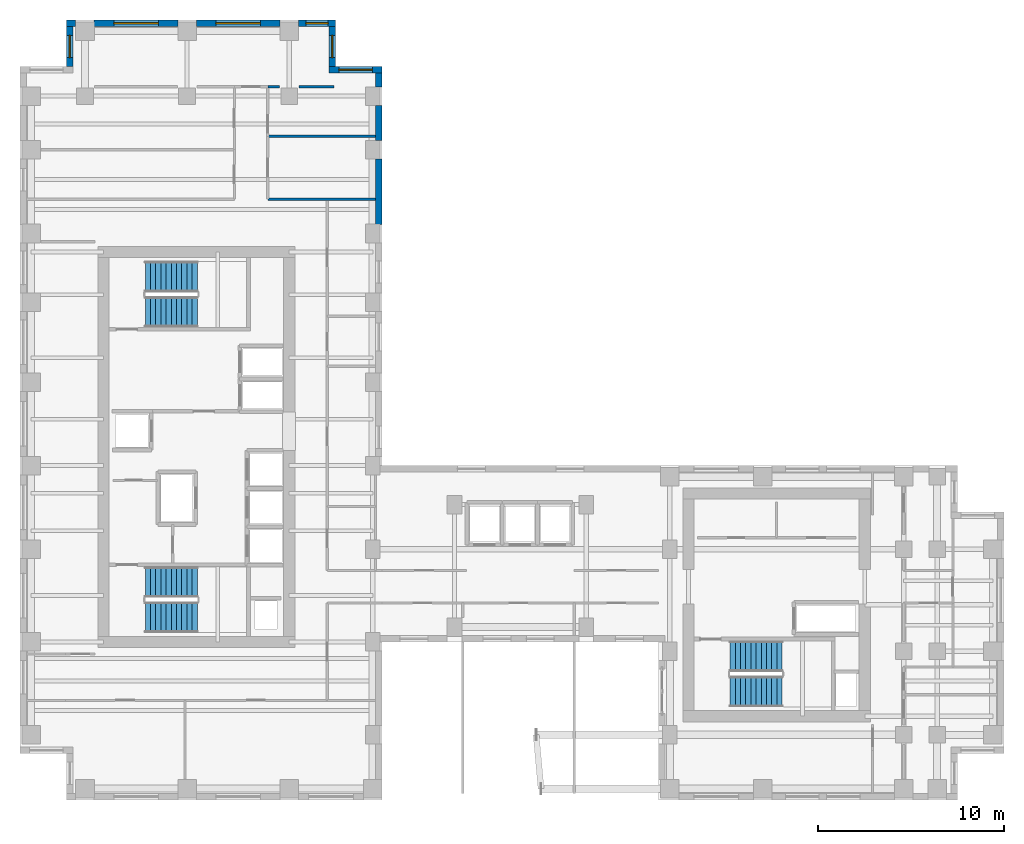
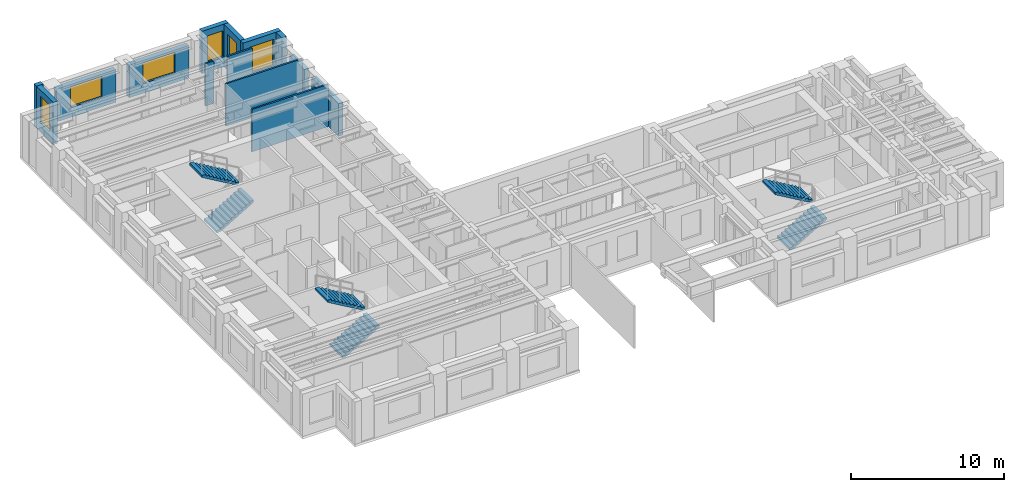
# One storey, part 11 of 13: 14 walls, 6 stair flights, 6 windows, 6 openings, 3 elements without a shape of their own.
"""IFC4 building model written with IfcOpenShell, lengths in metres."""

import ifcopenshell
import ifcopenshell.guid

model = None  # the IFC model being written
_history = None  # IfcOwnerHistory: only IFC2X3 demands one
_inside = {}  # id of a spatial element -> (the spatial element, [elements in it])
_under = {}  # id of a project, library or spatial element -> (it, [spatial elements below it])
_declared = {}  # id of a project -> (the project, [libraries it declares])
_typed = {}  # id of a type object -> (the type object, [elements of that type])
_made_of = {}  # id of a material, layer set ... -> (it, [elements and type objects made of it])


def new_model(schema):
    """Start an empty IFC model of exactly this schema.

    Asked for "IFC4X3", IfcOpenShell would pick the latest addendum, in which some entities
    have other attributes; the version numbers below select the first issue.
    IFC2X3 requires an IfcOwnerHistory on every rooted entity: one is made here for all.
    """
    global model, _history
    if schema == "IFC4X3":
        model = ifcopenshell.file(schema_version=(4, 3, 0, 0))
    else:
        model = ifcopenshell.file(schema=schema)
    _inside.clear()
    _under.clear()
    _declared.clear()
    _typed.clear()
    _made_of.clear()
    _history = None
    if model.schema == "IFC2X3":
        org = make("IfcOrganization", Name="unknown")
        user = make(
            "IfcPersonAndOrganization",
            ThePerson=make("IfcPerson", FamilyName="unknown"),
            TheOrganization=org,
        )
        app = make(
            "IfcApplication",
            ApplicationDeveloper=org,
            Version="unknown",
            ApplicationFullName="unknown",
            ApplicationIdentifier="unknown",
        )
        _history = make(
            "IfcOwnerHistory",
            OwningUser=user,
            OwningApplication=app,
            ChangeAction="ADDED",
            CreationDate=0,
        )
    return model


def make(cls, **values):
    """One entity of the class cls with the attributes given. An attribute that is None is left unset."""
    return model.create_entity(
        cls, **{name: value for name, value in values.items() if value is not None}
    )


def rooted(cls, **values):
    """An entity with a GlobalId (a new one), such as an element, a storey or a relation."""
    return make(cls, GlobalId=ifcopenshell.guid.new(), OwnerHistory=_history, **values)


def si_unit(unit_type, name, prefix=None):
    """IfcSIUnit, for example si_unit("LENGTHUNIT", "METRE", prefix="MILLI")."""
    return make("IfcSIUnit", UnitType=unit_type, Prefix=prefix, Name=name)


def assignment(units):
    """IfcUnitAssignment: the units of a project."""
    return None if units is None else make("IfcUnitAssignment", Units=units)


def point(xyz):
    """IfcCartesianPoint."""
    return None if xyz is None else make("IfcCartesianPoint", Coordinates=xyz)


def direction(xyz):
    """IfcDirection."""
    return None if xyz is None else make("IfcDirection", DirectionRatios=xyz)


def frame(location, z_axis=None, x_axis=None):
    """IfcAxis2Placement3D, a coordinate frame: its origin and axes. An axis left out is left unset."""
    return make(
        "IfcAxis2Placement3D",
        Location=point(location),
        Axis=direction(z_axis),
        RefDirection=direction(x_axis),
    )


def frame_2d(location, x_axis=None):
    """IfcAxis2Placement2D, a coordinate frame in the plane: its origin and x axis."""
    return make(
        "IfcAxis2Placement2D", Location=point(location), RefDirection=direction(x_axis)
    )


def origin():
    """The frame at (0, 0, 0) with its axes left unset."""
    return frame((0.0, 0.0, 0.0))


def place(relative_to, where):
    """IfcLocalPlacement: puts the frame where relative to a parent placement (None: the world)."""
    return make(
        "IfcLocalPlacement", PlacementRelTo=relative_to, RelativePlacement=where
    )


def context(
    kind, dimensions, precision=None, world=None, true_north=None, identifier=None
):
    """IfcGeometricRepresentationContext, for example the 3D "Model" context."""
    return make(
        "IfcGeometricRepresentationContext",
        ContextIdentifier=identifier,
        ContextType=kind,
        CoordinateSpaceDimension=dimensions,
        Precision=precision,
        WorldCoordinateSystem=world,
        TrueNorth=true_north,
    )


def subcontext(parent, identifier, kind, view, scale=None):
    """IfcGeometricRepresentationSubContext, for example "Body" below "Model"."""
    return make(
        "IfcGeometricRepresentationSubContext",
        ContextIdentifier=identifier,
        ContextType=kind,
        ParentContext=parent,
        TargetScale=scale,
        TargetView=view,
    )


def project(units=None, contexts=None):
    """IfcProject with its units and contexts."""
    return rooted(
        "IfcProject",
        Name="project",
        RepresentationContexts=contexts,
        UnitsInContext=assignment(units),
    )


def spatial(cls, under=None, at=None, **own):
    """A site, building, storey or space (cls), placed at a placement, below another one or the project."""
    s = rooted(cls, ObjectPlacement=at, **own)
    if under is not None:
        _under.setdefault(under.id(), (under, []))[1].append(s)
    return s


def polyline(points):
    """IfcPolyline through the points."""
    return make("IfcPolyline", Points=[point(p) for p in points])


def profile(cls, at=None, kind="AREA", **sizes):
    """A parametric profile (cls). Its sizes go by their IFC names, for example OverallWidth=200.0."""
    return make(cls, ProfileType=kind, Position=at, **sizes)


def rectangle(**sizes):
    """IfcRectangleProfileDef."""
    return profile("IfcRectangleProfileDef", **sizes)


def outline(outer, holes=None, kind="AREA"):
    """IfcArbitraryClosedProfileDef: a profile drawn as a closed curve; with holes, ...WithVoids."""
    if holes is None:
        return make("IfcArbitraryClosedProfileDef", ProfileType=kind, OuterCurve=outer)
    return make(
        "IfcArbitraryProfileDefWithVoids",
        ProfileType=kind,
        OuterCurve=outer,
        InnerCurves=holes,
    )


def extrude(swept, where, along, depth):
    """IfcExtrudedAreaSolid: the profile swept, set in the frame where, extruded along a direction by depth."""
    return make(
        "IfcExtrudedAreaSolid",
        SweptArea=swept,
        Position=where,
        ExtrudedDirection=direction(along),
        Depth=depth,
    )


def shape(context_of_items, identifier, shape_type, items):
    """IfcShapeRepresentation: the items that make up one representation, for example the "Body"."""
    return make(
        "IfcShapeRepresentation",
        ContextOfItems=context_of_items,
        RepresentationIdentifier=identifier,
        RepresentationType=shape_type,
        Items=items,
    )


def source(mapping_origin, context_of_items, identifier, shape_type, items):
    """IfcRepresentationMap: a shape defined once, which mapped items show again and again."""
    return make(
        "IfcRepresentationMap",
        MappingOrigin=mapping_origin,
        MappedRepresentation=shape(context_of_items, identifier, shape_type, items),
    )


def transform(
    local_origin,
    x_axis=None,
    y_axis=None,
    z_axis=None,
    scale=None,
    scale2=None,
    scale3=None,
    uniform=True,
):
    """IfcCartesianTransformationOperator3D, or its non-uniform kind. x_axis, y_axis, z_axis: its Axis1, 2, 3."""
    if uniform:
        return make(
            "IfcCartesianTransformationOperator3D",
            Axis1=direction(x_axis),
            Axis2=direction(y_axis),
            LocalOrigin=point(local_origin),
            Scale=scale,
            Axis3=direction(z_axis),
        )
    return make(
        "IfcCartesianTransformationOperator3DnonUniform",
        Axis1=direction(x_axis),
        Axis2=direction(y_axis),
        LocalOrigin=point(local_origin),
        Scale=scale,
        Axis3=direction(z_axis),
        Scale2=scale2,
        Scale3=scale3,
    )


def mapped(mapping_source, mapping_target):
    """IfcMappedItem: shows the shape of a source again, moved by a transform."""
    return make(
        "IfcMappedItem", MappingSource=mapping_source, MappingTarget=mapping_target
    )


def material(Name=None, Category=None):
    """IfcMaterial."""
    return make("IfcMaterial", Name=Name, Category=Category)


def layer(
    of_material, thickness, ventilated=None, Name=None, Category=None, Priority=None
):
    """IfcMaterialLayer: one layer of a wall or slab, of a material (None: an air gap)."""
    return make(
        "IfcMaterialLayer",
        Material=of_material,
        LayerThickness=thickness,
        IsVentilated=ventilated,
        Name=Name,
        Category=Category,
        Priority=Priority,
    )


def layer_set(layers, Name=None):
    """IfcMaterialLayerSet."""
    return make("IfcMaterialLayerSet", MaterialLayers=layers, LayerSetName=Name)


def made_of(thing, what):
    """Note that an element or type object is made of a material, layer set ...; save() writes the relation."""
    if what is not None:
        _made_of.setdefault(what.id(), (what, []))[1].append(thing)
    return thing


def type_object(cls, material=None, **own):
    """A type object (cls), such as IfcWallType, which elements share."""
    return made_of(rooted(cls, **own), material)


def element(
    cls,
    number,
    at=None,
    inside=None,
    cuts=None,
    type_object=None,
    material=None,
    context=None,
    identifier="Body",
    shape_type=None,
    held_by="IfcProductDefinitionShape",
    body=None,
    shapes=None,
    **own,
):
    """One element of the class cls, such as IfcWall. Its Tag is "e" and its number.

    at: its placement. inside: the storey or other place that contains it. cuts: it is an
    opening in that element (IfcRelVoidsElement). A single representation is given by context,
    identifier, shape_type and body (its items); several are given by shapes. held_by: the class
    of the entity that holds the representations. save() writes the other relations.
    """
    e = rooted(cls, Tag="e%d" % number, ObjectPlacement=at, **own)
    if body is not None:
        shapes = [shape(context, identifier, shape_type, body)]
    if shapes is not None:
        e.Representation = make(held_by, Representations=shapes)
    if inside is not None:
        _inside.setdefault(inside.id(), (inside, []))[1].append(e)
    if cuts is not None:
        rooted(
            "IfcRelVoidsElement", RelatingBuildingElement=cuts, RelatedOpeningElement=e
        )
    if type_object is not None:
        _typed.setdefault(type_object.id(), (type_object, []))[1].append(e)
    return made_of(e, material)


def fill(opening, filler):
    """IfcRelFillsElement: the door or window that sits in an opening."""
    return rooted(
        "IfcRelFillsElement",
        RelatingOpeningElement=opening,
        RelatedBuildingElement=filler,
    )


def aggregate(whole, parts):
    """IfcRelAggregates: a whole, such as a stair, and the parts it consists of."""
    return rooted("IfcRelAggregates", RelatingObject=whole, RelatedObjects=parts)


def save(model, path):
    """Write the relations noted so far, then the file.

    IfcRelAggregates (storeys below a building ...), IfcRelContainedInSpatialStructure (elements
    in a storey), IfcRelDefinesByType, IfcRelAssociatesMaterial and IfcRelDeclares: one each for
    every whole, place, type object, material and project.
    """
    for whole, parts in _under.values():
        aggregate(whole, parts)
    for where, things in _inside.values():
        rooted(
            "IfcRelContainedInSpatialStructure",
            RelatedElements=things,
            RelatingStructure=where,
        )
    for kind, things in _typed.values():
        rooted("IfcRelDefinesByType", RelatedObjects=things, RelatingType=kind)
    for what, things in _made_of.values():
        rooted("IfcRelAssociatesMaterial", RelatedObjects=things, RelatingMaterial=what)
    for by, libraries in _declared.values():
        rooted("IfcRelDeclares", RelatingContext=by, RelatedDefinitions=libraries)
    model.write(path)


model = new_model("IFC4")

# Units and contexts
model_context = context("Model", 3, precision=1e-05, world=origin(), true_north=direction((0.0, 1.0)))
body_context = subcontext(model_context, "Body", "Model", "MODEL_VIEW")
ifc_project = project(units=[si_unit("LENGTHUNIT", "METRE"), si_unit("AREAUNIT", "SQUARE_METRE"), si_unit("VOLUMEUNIT", "CUBIC_METRE"), si_unit("PLANEANGLEUNIT", "RADIAN"), si_unit("MASSUNIT", "GRAM", prefix="KILO")], contexts=[model_context])

# Site, building, storey
site_placement = place(None, origin())
site = spatial("IfcSite", under=ifc_project, at=site_placement, CompositionType="ELEMENT")
building_placement = place(site_placement, origin())
building = spatial("IfcBuilding", under=site, at=building_placement, Name="Kharzan Plaza Tower", CompositionType="ELEMENT")
storey_placement = place(building_placement, frame((0.0, 0.0, 161.10009765625)))
storey = spatial("IfcBuildingStorey", under=building, at=storey_placement, Name="L43", CompositionType="ELEMENT", Elevation=161.10009765625)

# Wall, opening, window
ifc_material_1 = material(Name="Concrete C40/50", Category="concrete")
ifc_layer_1 = layer(ifc_material_1, 0.35009765625)
ifc_layer_set_1 = layer_set([ifc_layer_1], Name="Concrete C40/50")
wall_type_1 = type_object("IfcWallType", Name="WL-EXT-MAS-Z3", PredefinedType="SOLIDWALL", material=ifc_layer_set_1)
wall_1_placement = place(storey_placement, frame((19.5, 39.324951171875, 0.0), z_axis=(0.0, 0.0, 1.0), x_axis=(-1.0, 0.0, 0.0)))
wall_1 = element("IfcWall", 1, at=wall_1_placement, inside=storey, type_object=wall_type_1, Name="L43 Masonry-Frame Exterior Wall 01", PredefinedType="SOLIDWALL", context=body_context, shape_type="SweptSolid", body=[
    extrude(rectangle(XDim=2.85009765625, YDim=0.35009765625, at=frame_2d((1.425048828125, 0.0))), origin(), (0.0, 0.0, 1.0), 3.385009765625),
])
opening_1_placement = place(wall_1_placement, frame((0.52490234375, 0.0, 0.780029296875)))
opening_1 = element("IfcOpeningElement", 2, at=opening_1_placement, cuts=wall_1, Name="Opening W1", PredefinedType="OPENING", context=body_context, shape_type="SweptSolid", body=[
    extrude(rectangle(XDim=1.800048828125, YDim=2.10009765625, at=frame_2d((0.89990234375, 1.050048828125))), frame((0.0, 0.18505859375, 0.0), z_axis=(0.0, -1.0, 0.0), x_axis=(1.0, 0.0, 0.0)), (0.0, 0.0, 1.0), 0.3701171875),
])
ifc_material_2 = material(Name="Low-E Double Glazing", Category="glass")
window_type_1 = type_object("IfcWindowType", Name="WN-REC-1800x2100", PartitioningType="SINGLE_PANEL", PredefinedType="WINDOW", material=ifc_material_2)
shared_shape_1 = source(origin(), body_context, "Body", "SweptSolid", [
    extrude(rectangle(XDim=1.800048828125, YDim=2.10009765625, at=frame_2d((0.89990234375, 1.050048828125))), frame((0.0, 0.030029296875, 0.0), z_axis=(0.0, -1.0, 0.0), x_axis=(1.0, 0.0, 0.0)), (0.0, 0.0, 1.0), 0.06005859375),
])
window_1_placement = place(opening_1_placement, origin())
window_1 = element("IfcWindow", 3, at=window_1_placement, inside=storey, type_object=window_type_1, Name="L43 Recessed Solar-Control Window 01-1", OverallHeight=2.10009765625, OverallWidth=1.800048828125, PartitioningType="SINGLE_PANEL", PredefinedType="WINDOW", context=body_context, shape_type="MappedRepresentation", body=[
    mapped(shared_shape_1, transform((0.0, 0.0, 0.0), x_axis=(1.0, 0.0, 0.0), y_axis=(0.0, 1.0, 0.0), z_axis=(0.0, 0.0, 1.0))),
])
fill(opening_1, window_1)

wall_2_placement = place(storey_placement, frame((16.824951171875, 39.498046875, 0.0), z_axis=(0.0, 0.0, 1.0), x_axis=(0.0, 1.0, 0.0)))
wall_2 = element("IfcWall", 4, at=wall_2_placement, inside=storey, type_object=wall_type_1, Name="L43 Masonry-Frame Exterior Wall 02", PredefinedType="SOLIDWALL", context=body_context, shape_type="SweptSolid", body=[
    extrude(rectangle(XDim=2.154052734375, YDim=0.35009765625, at=frame_2d((1.0771484375, 0.0))), origin(), (0.0, 0.0, 1.0), 3.385009765625),
])
opening_2_placement = place(wall_2_placement, frame((0.47705078125, 0.0, 0.780029296875)))
opening_2 = element("IfcOpeningElement", 5, at=opening_2_placement, cuts=wall_2, Name="Opening W3", PredefinedType="OPENING", context=body_context, shape_type="SweptSolid", body=[
    extrude(rectangle(XDim=1.199951171875, YDim=2.10009765625, at=frame_2d((0.60009765625, 1.050048828125))), frame((0.0, 0.18505859375, 0.0), z_axis=(0.0, -1.0, 0.0), x_axis=(1.0, 0.0, 0.0)), (0.0, 0.0, 1.0), 0.3701171875),
])
window_type_2 = type_object("IfcWindowType", Name="WN-REC-1200x2100", PartitioningType="SINGLE_PANEL", PredefinedType="WINDOW", material=ifc_material_2)
shared_shape_2 = source(origin(), body_context, "Body", "SweptSolid", [
    extrude(rectangle(XDim=1.199951171875, YDim=2.10009765625, at=frame_2d((0.60009765625, 1.050048828125))), frame((0.0, 0.030029296875, 0.0), z_axis=(0.0, -1.0, 0.0), x_axis=(1.0, 0.0, 0.0)), (0.0, 0.0, 1.0), 0.06005859375),
])
window_2_placement = place(opening_2_placement, origin())
window_2 = element("IfcWindow", 6, at=window_2_placement, inside=storey, type_object=window_type_2, Name="L43 Recessed Solar-Control Window 02-1", OverallHeight=2.10009765625, OverallWidth=1.199951171875, PartitioningType="SINGLE_PANEL", PredefinedType="WINDOW", context=body_context, shape_type="MappedRepresentation", body=[
    mapped(shared_shape_2, transform((0.0, 0.0, 0.0), x_axis=(1.0, 0.0, 0.0), y_axis=(0.0, 1.0, 0.0), z_axis=(0.0, 0.0, 1.0))),
])
fill(opening_2, window_2)

wall_3_placement = place(storey_placement, frame((17.0, 41.824951171875, 0.0), z_axis=(0.0, 0.0, 1.0), x_axis=(-1.0, 0.0, 0.0)))
wall_3 = element("IfcWall", 7, at=wall_3_placement, inside=storey, type_object=wall_type_1, Name="L43 Masonry-Frame Exterior Wall 03", PredefinedType="SOLIDWALL", context=body_context, shape_type="SweptSolid", body=[
    extrude(rectangle(XDim=2.001953125, YDim=0.35009765625, at=frame_2d((1.0009765625, 0.0))), origin(), (0.0, 0.0, 1.0), 3.385009765625),
])
opening_3_placement = place(wall_3_placement, frame((0.40087890625, 0.0, 0.780029296875)))
opening_3 = element("IfcOpeningElement", 8, at=opening_3_placement, cuts=wall_3, Name="Opening W3", PredefinedType="OPENING", context=body_context, shape_type="SweptSolid", body=[
    extrude(rectangle(XDim=1.199951171875, YDim=2.10009765625, at=frame_2d((0.60009765625, 1.050048828125))), frame((0.0, 0.18505859375, 0.0), z_axis=(0.0, -1.0, 0.0), x_axis=(1.0, 0.0, 0.0)), (0.0, 0.0, 1.0), 0.3701171875),
])
window_3_placement = place(opening_3_placement, origin())
window_3 = element("IfcWindow", 9, at=window_3_placement, inside=storey, type_object=window_type_2, Name="L43 Recessed Solar-Control Window 03-1", OverallHeight=2.10009765625, OverallWidth=1.199951171875, PartitioningType="SINGLE_PANEL", PredefinedType="WINDOW", context=body_context, shape_type="MappedRepresentation", body=[
    mapped(shared_shape_2, transform((0.0, 0.0, 0.0), x_axis=(1.0, 0.0, 0.0), y_axis=(0.0, 1.0, 0.0), z_axis=(0.0, 0.0, 1.0))),
])
fill(opening_3, window_3)

wall_4_placement = place(storey_placement, frame((14.001953125, 41.824951171875, 0.0), z_axis=(0.0, 0.0, 1.0), x_axis=(-1.0, 0.0, 0.0)))
wall_4 = element("IfcWall", 10, at=wall_4_placement, inside=storey, type_object=wall_type_1, Name="L43 Masonry-Frame Exterior Wall 04", PredefinedType="SOLIDWALL", context=body_context, shape_type="SweptSolid", body=[
    extrude(rectangle(XDim=4.50390625, YDim=0.35009765625, at=frame_2d((2.251953125, 0.0))), origin(), (0.0, 0.0, 1.0), 2.61181640625),
])
opening_4_placement = place(wall_4_placement, frame((1.052001953125, 0.0, 0.780029296875)))
opening_4 = element("IfcOpeningElement", 11, at=opening_4_placement, cuts=wall_4, Name="Opening W2", PredefinedType="OPENING", context=body_context, shape_type="SweptSolid", body=[
    extrude(rectangle(XDim=2.39990234375, YDim=1.652099609375, at=frame_2d((1.199951171875, 0.826171875))), frame((0.0, 0.18505859375, 0.0), z_axis=(0.0, -1.0, 0.0), x_axis=(1.0, 0.0, 0.0)), (0.0, 0.0, 1.0), 0.3701171875),
])
window_type_3 = type_object("IfcWindowType", Name="WN-REC-2400x2100", PartitioningType="SINGLE_PANEL", PredefinedType="WINDOW", material=ifc_material_2)
shared_shape_3 = source(origin(), body_context, "Body", "SweptSolid", [
    extrude(rectangle(XDim=2.39990234375, YDim=1.652099609375, at=frame_2d((1.199951171875, 0.826171875))), frame((0.0, 0.030029296875, 0.0), z_axis=(0.0, -1.0, 0.0), x_axis=(1.0, 0.0, 0.0)), (0.0, 0.0, 1.0), 0.06005859375),
])
window_4_placement = place(opening_4_placement, origin())
window_4 = element("IfcWindow", 12, at=window_4_placement, inside=storey, type_object=window_type_3, Name="L43 Wide Recessed Solar-Control Window 04-1", OverallHeight=1.652099609375, OverallWidth=2.39990234375, PartitioningType="SINGLE_PANEL", PredefinedType="WINDOW", context=body_context, shape_type="MappedRepresentation", body=[
    mapped(shared_shape_3, transform((0.0, 0.0, 0.0), x_axis=(1.0, 0.0, 0.0), y_axis=(0.0, 1.0, 0.0), z_axis=(0.0, 0.0, 1.0))),
])
fill(opening_4, window_4)

wall_5_placement = place(storey_placement, frame((8.501953125, 41.824951171875, 0.0), z_axis=(0.0, 0.0, 1.0), x_axis=(-1.0, 0.0, 0.0)))
wall_5 = element("IfcWall", 13, at=wall_5_placement, inside=storey, type_object=wall_type_1, Name="L43 Masonry-Frame Exterior Wall 05", PredefinedType="SOLIDWALL", context=body_context, shape_type="SweptSolid", body=[
    extrude(rectangle(XDim=4.50390625, YDim=0.35009765625, at=frame_2d((2.251953125, 0.0))), origin(), (0.0, 0.0, 1.0), 2.61181640625),
])
opening_5_placement = place(wall_5_placement, frame((1.052001953125, 0.0, 0.780029296875)))
opening_5 = element("IfcOpeningElement", 14, at=opening_5_placement, cuts=wall_5, Name="Opening W2", PredefinedType="OPENING", context=body_context, shape_type="SweptSolid", body=[
    extrude(rectangle(XDim=2.39990234375, YDim=1.652099609375, at=frame_2d((1.199951171875, 0.826171875))), frame((0.0, 0.18505859375, 0.0), z_axis=(0.0, -1.0, 0.0), x_axis=(1.0, 0.0, 0.0)), (0.0, 0.0, 1.0), 0.3701171875),
])
window_5_placement = place(opening_5_placement, origin())
window_5 = element("IfcWindow", 15, at=window_5_placement, inside=storey, type_object=window_type_3, Name="L43 Wide Recessed Solar-Control Window 05-1", OverallHeight=1.652099609375, OverallWidth=2.39990234375, PartitioningType="SINGLE_PANEL", PredefinedType="WINDOW", context=body_context, shape_type="MappedRepresentation", body=[
    mapped(shared_shape_3, transform((0.0, 0.0, 0.0), x_axis=(1.0, 0.0, 0.0), y_axis=(0.0, 1.0, 0.0), z_axis=(0.0, 0.0, 1.0))),
])
fill(opening_5, window_5)

wall_6_placement = place(storey_placement, frame((2.675048828125, 41.652099609375, 0.0), z_axis=(0.0, 0.0, 1.0), x_axis=(0.0, -1.0, 0.0)))
wall_6 = element("IfcWall", 16, at=wall_6_placement, inside=storey, type_object=wall_type_1, Name="L43 Masonry-Frame Exterior Wall 07", PredefinedType="SOLIDWALL", context=body_context, shape_type="SweptSolid", body=[
    extrude(rectangle(XDim=2.154052734375, YDim=0.35009765625, at=frame_2d((1.0771484375, 0.0))), origin(), (0.0, 0.0, 1.0), 3.385009765625),
])
opening_6_placement = place(wall_6_placement, frame((0.47705078125, 0.0, 0.780029296875)))
opening_6 = element("IfcOpeningElement", 17, at=opening_6_placement, cuts=wall_6, Name="Opening W3", PredefinedType="OPENING", context=body_context, shape_type="SweptSolid", body=[
    extrude(rectangle(XDim=1.199951171875, YDim=2.10009765625, at=frame_2d((0.60009765625, 1.050048828125))), frame((0.0, 0.18505859375, 0.0), z_axis=(0.0, -1.0, 0.0), x_axis=(1.0, 0.0, 0.0)), (0.0, 0.0, 1.0), 0.3701171875),
])
window_6_placement = place(opening_6_placement, origin())
window_6 = element("IfcWindow", 18, at=window_6_placement, inside=storey, type_object=window_type_2, Name="L43 Recessed Solar-Control Window 07-1", OverallHeight=2.10009765625, OverallWidth=1.199951171875, PartitioningType="SINGLE_PANEL", PredefinedType="WINDOW", context=body_context, shape_type="MappedRepresentation", body=[
    mapped(shared_shape_2, transform((0.0, 0.0, 0.0), x_axis=(1.0, 0.0, 0.0), y_axis=(0.0, 1.0, 0.0), z_axis=(0.0, 0.0, 1.0))),
])
fill(opening_6, window_6)

# Walls
shared_shape_4 = source(origin(), body_context, "Body", "SweptSolid", [
    extrude(rectangle(XDim=0.501953125, YDim=0.35009765625, at=frame_2d((0.2509765625, 0.0))), origin(), (0.0, 0.0, 1.0), 3.385009765625),
])
wall_7_placement = place(storey_placement, frame((3.001953125, 41.824951171875, 0.0), z_axis=(0.0, 0.0, 1.0), x_axis=(-1.0, 0.0, 0.0)))
element("IfcWall", 19, at=wall_7_placement, inside=storey, type_object=wall_type_1, Name="L43 Masonry-Frame Exterior Wall 06", PredefinedType="SOLIDWALL", context=body_context, shape_type="MappedRepresentation", body=[
    mapped(shared_shape_4, transform((0.0, 0.0, 0.0), x_axis=(1.0, 0.0, 0.0), y_axis=(0.0, 1.0, 0.0), z_axis=(0.0, 0.0, 1.0))),
])
shared_shape_5 = source(origin(), body_context, "Body", "SweptSolid", [
    extrude(rectangle(XDim=0.754150390625, YDim=0.35009765625, at=frame_2d((0.376953125, 0.0))), origin(), (0.0, 0.0, 1.0), 3.385009765625),
])
wall_8_placement = place(storey_placement, frame((19.324951171875, 38.39794921875, 0.0), z_axis=(0.0, 0.0, 1.0), x_axis=(0.0, 1.0, 0.0)))
element("IfcWall", 20, at=wall_8_placement, inside=storey, type_object=wall_type_1, Name="L43 Masonry-Frame Exterior Wall 53", PredefinedType="SOLIDWALL", context=body_context, shape_type="MappedRepresentation", body=[
    mapped(shared_shape_5, transform((0.0, 0.0, 0.0), x_axis=(1.0, 0.0, 0.0), y_axis=(0.0, 1.0, 0.0), z_axis=(0.0, 0.0, 1.0))),
])
shared_shape_6 = source(origin(), body_context, "Body", "SweptSolid", [
    extrude(rectangle(XDim=1.904052734375, YDim=0.35009765625, at=frame_2d((0.9521484375, 0.0))), origin(), (0.0, 0.0, 1.0), 2.61181640625),
])
wall_9_placement = place(storey_placement, frame((19.324951171875, 35.498046875, 0.0), z_axis=(0.0, 0.0, 1.0), x_axis=(0.0, 1.0, 0.0)))
element("IfcWall", 21, at=wall_9_placement, inside=storey, type_object=wall_type_1, Name="L43 Masonry-Frame Exterior Wall 52", PredefinedType="SOLIDWALL", context=body_context, shape_type="MappedRepresentation", body=[
    mapped(shared_shape_6, transform((0.0, 0.0, 0.0), x_axis=(1.0, 0.0, 0.0), y_axis=(0.0, 1.0, 0.0), z_axis=(0.0, 0.0, 1.0))),
])
shared_shape_7 = source(origin(), body_context, "Body", "SweptSolid", [
    extrude(rectangle(XDim=3.50390625, YDim=0.35009765625, at=frame_2d((1.751953125, 0.0))), origin(), (0.0, 0.0, 1.0), 2.61181640625),
])
wall_10_placement = place(storey_placement, frame((19.324951171875, 30.998046875, 0.0), z_axis=(0.0, 0.0, 1.0), x_axis=(0.0, 1.0, 0.0)))
element("IfcWall", 22, at=wall_10_placement, inside=storey, type_object=wall_type_1, Name="L43 Masonry-Frame Exterior Wall 51", PredefinedType="SOLIDWALL", context=body_context, shape_type="MappedRepresentation", body=[
    mapped(shared_shape_7, transform((0.0, 0.0, 0.0), x_axis=(1.0, 0.0, 0.0), y_axis=(0.0, 1.0, 0.0), z_axis=(0.0, 0.0, 1.0))),
])
ifc_material_3 = material(Name="Fire-Rated Gypsum Board Partition", Category="gypsum")
ifc_layer_2 = layer(ifc_material_3, 0.125)
ifc_layer_set_2 = layer_set([ifc_layer_2], Name="Fire-Rated Gypsum Board Partition")
wall_type_2 = type_object("IfcWallType", Name="WL-INT-PART-125", PredefinedType="PARTITIONING", material=ifc_layer_set_2)
shared_shape_8 = source(origin(), body_context, "Body", "SweptSolid", [
    extrude(rectangle(XDim=5.7978515625, YDim=0.125, at=frame_2d((2.89892578125, 0.0))), origin(), (0.0, 0.0, 1.0), 3.385009765625),
])
for number, where, z_axis, x_axis, name in (
    (23, (13.35009765625, 35.738037109375, 0.0), (0.0, 0.0, 1.0), (1.0, 0.0, 0.0), "L43 Interior Partition SH-NEH-1"),
    (24, (13.35009765625, 32.35009765625, 0.0), (0.0, 0.0, 1.0), (1.0, 0.0, 0.0), "L43 Interior Partition SH-NNE"),
):
    element("IfcWall", number, at=place(storey_placement, frame(where, z_axis=z_axis, x_axis=x_axis)), inside=storey, type_object=wall_type_2, Name=name, PredefinedType="PARTITIONING", context=body_context, shape_type="MappedRepresentation", body=[
        mapped(shared_shape_8, transform((0.0, 0.0, 0.0), x_axis=(1.0, 0.0, 0.0), y_axis=(0.0, 1.0, 0.0), z_axis=(0.0, 0.0, 1.0))),
    ])
shared_shape_9 = source(origin(), body_context, "Body", "SweptSolid", [
    extrude(rectangle(XDim=0.6298828125, YDim=0.125, at=frame_2d((0.31494140625, 0.0))), origin(), (0.0, 0.0, 1.0), 3.385009765625),
])
wall_11_placement = place(storey_placement, frame((13.35009765625, 38.39990234375, 0.0), z_axis=(0.0, 0.0, 1.0), x_axis=(1.0, 0.0, 0.0)))
element("IfcWall", 25, at=wall_11_placement, inside=storey, type_object=wall_type_2, Name="L43 Interior Partition SH-SPHE-S1", PredefinedType="PARTITIONING", context=body_context, shape_type="MappedRepresentation", body=[
    mapped(shared_shape_9, transform((0.0, 0.0, 0.0), x_axis=(1.0, 0.0, 0.0), y_axis=(0.0, 1.0, 0.0), z_axis=(0.0, 0.0, 1.0))),
])
shared_shape_10 = source(origin(), body_context, "Body", "SweptSolid", [
    extrude(rectangle(XDim=1.8798828125, YDim=0.125, at=frame_2d((0.93994140625, 0.0))), origin(), (0.0, 0.0, 1.0), 3.385009765625),
])
wall_12_placement = place(storey_placement, frame((15.02001953125, 38.39990234375, 0.0), z_axis=(0.0, 0.0, 1.0), x_axis=(1.0, 0.0, 0.0)))
element("IfcWall", 26, at=wall_12_placement, inside=storey, type_object=wall_type_2, Name="L43 Interior Partition SH-SPHE-S2", PredefinedType="PARTITIONING", context=body_context, shape_type="MappedRepresentation", body=[
    mapped(shared_shape_10, transform((0.0, 0.0, 0.0), x_axis=(1.0, 0.0, 0.0), y_axis=(0.0, 1.0, 0.0), z_axis=(0.0, 0.0, 1.0))),
])

# Stair, stair flights
stair_type_1 = type_object("IfcStairType", Name="STR-ST-1", PredefinedType="HALF_TURN_STAIR", material=ifc_material_1)
stair_1_placement = place(storey_placement, origin())
stair_1 = element("IfcStair", 27, at=stair_1_placement, inside=storey, type_object=stair_type_1, Name="L43 Protected Exit Stair ST-1", PredefinedType="HALF_TURN_STAIR")
stair_flight_type = type_object("IfcStairFlightType", Name="SFL-1650-R173", PredefinedType="STRAIGHT", material=ifc_material_1)
shared_shape_11 = source(origin(), body_context, "Body", "SweptSolid", [
    extrude(outline(polyline([(-0.0029296875, -0.011962890625), (-0.0029296875, 0.0), (0.0, 0.0), (0.0, 0.16357421875), (0.280029296875, 0.16357421875), (0.280029296875, 0.3271484375), (0.56005859375, 0.3271484375), (0.56005859375, 0.49072265625), (0.840087890625, 0.49072265625), (0.840087890625, 0.654296875), (1.1201171875, 0.654296875), (1.1201171875, 0.81787109375), (1.400146484375, 0.81787109375), (1.400146484375, 0.9814453125), (1.68017578125, 0.9814453125), (1.68017578125, 1.14501953125), (1.960205078125, 1.14501953125), (1.960205078125, 1.30859375), (2.240234375, 1.30859375), (2.240234375, 1.47216796875), (2.520263671875, 1.47216796875), (2.520263671875, 1.6357421875), (2.80029296875, 1.6357421875), (2.80029296875, 1.79931640625), (2.80029296875, 1.462158203125), (0.297119140625, 0.0), (0.297119140625, -0.011962890625), (-0.0029296875, -0.011962890625)])), frame((0.0, 0.824951171875, 0.0), z_axis=(0.0, -1.0, 0.0), x_axis=(1.0, 0.0, 0.0)), (0.0, 0.0, 1.0), 1.64990234375),
])
stair_flight_1_placement = place(storey_placement, frame((6.75, 9.824951171875, 0.0), z_axis=(0.0, 0.0, 1.0), x_axis=(1.0, 0.0, 0.0)))
stair_flight_1 = element("IfcStairFlight", 28, at=stair_flight_1_placement, type_object=stair_flight_type, Name="ST-1 flight 1", NumberOfRisers=11, NumberOfTreads=10, PredefinedType="STRAIGHT", RiserHeight=0.163636364, TreadLength=0.28, context=body_context, shape_type="MappedRepresentation", body=[
    mapped(shared_shape_11, transform((0.0, 0.0, 0.0), x_axis=(1.0, 0.0, 0.0), y_axis=(0.0, 1.0, 0.0), z_axis=(0.0, 0.0, 1.0))),
])
stair_flight_2_placement = place(storey_placement, frame((9.550048828125, 11.72509765625, 1.7998046875), z_axis=(0.0, 0.0, 1.0), x_axis=(-1.0, 0.0, 0.0)))
stair_flight_2 = element("IfcStairFlight", 29, at=stair_flight_2_placement, type_object=stair_flight_type, Name="ST-1 flight 2", NumberOfRisers=11, NumberOfTreads=10, PredefinedType="STRAIGHT", RiserHeight=0.163636364, TreadLength=0.28, context=body_context, shape_type="MappedRepresentation", body=[
    mapped(shared_shape_11, transform((0.0, 0.0, 0.0), x_axis=(1.0, 0.0, 0.0), y_axis=(0.0, 1.0, 0.0), z_axis=(0.0, 0.0, 1.0))),
])
aggregate(stair_1, [stair_flight_1, stair_flight_2])

stair_type_2 = type_object("IfcStairType", Name="STR-ST-2", PredefinedType="HALF_TURN_STAIR", material=ifc_material_1)
stair_2_placement = place(storey_placement, origin())
stair_2 = element("IfcStair", 30, at=stair_2_placement, inside=storey, type_object=stair_type_2, Name="L43 Protected Exit Stair ST-2", PredefinedType="HALF_TURN_STAIR")
stair_flight_3_placement = place(storey_placement, frame((6.75, 26.27490234375, 0.0), z_axis=(0.0, 0.0, 1.0), x_axis=(1.0, 0.0, 0.0)))
stair_flight_3 = element("IfcStairFlight", 31, at=stair_flight_3_placement, type_object=stair_flight_type, Name="ST-2 flight 1", NumberOfRisers=11, NumberOfTreads=10, PredefinedType="STRAIGHT", RiserHeight=0.163636364, TreadLength=0.28, context=body_context, shape_type="MappedRepresentation", body=[
    mapped(shared_shape_11, transform((0.0, 0.0, 0.0), x_axis=(1.0, 0.0, 0.0), y_axis=(0.0, 1.0, 0.0), z_axis=(0.0, 0.0, 1.0))),
])
stair_flight_4_placement = place(storey_placement, frame((9.550048828125, 28.175048828125, 1.7998046875), z_axis=(0.0, 0.0, 1.0), x_axis=(-1.0, 0.0, 0.0)))
stair_flight_4 = element("IfcStairFlight", 32, at=stair_flight_4_placement, type_object=stair_flight_type, Name="ST-2 flight 2", NumberOfRisers=11, NumberOfTreads=10, PredefinedType="STRAIGHT", RiserHeight=0.163636364, TreadLength=0.28, context=body_context, shape_type="MappedRepresentation", body=[
    mapped(shared_shape_11, transform((0.0, 0.0, 0.0), x_axis=(1.0, 0.0, 0.0), y_axis=(0.0, 1.0, 0.0), z_axis=(0.0, 0.0, 1.0))),
])
aggregate(stair_2, [stair_flight_3, stair_flight_4])

stair_type_3 = type_object("IfcStairType", Name="STR-ST-3", PredefinedType="HALF_TURN_STAIR", material=ifc_material_1)
stair_3_placement = place(storey_placement, origin())
stair_3 = element("IfcStair", 33, at=stair_3_placement, inside=storey, type_object=stair_type_3, Name="L43 Protected Exit Stair ST-3", PredefinedType="HALF_TURN_STAIR")
stair_flight_5_placement = place(storey_placement, frame((38.25, 5.824951171875, 0.0), z_axis=(0.0, 0.0, 1.0), x_axis=(1.0, 0.0, 0.0)))
stair_flight_5 = element("IfcStairFlight", 34, at=stair_flight_5_placement, type_object=stair_flight_type, Name="ST-3 flight 1", NumberOfRisers=11, NumberOfTreads=10, PredefinedType="STRAIGHT", RiserHeight=0.163636364, TreadLength=0.28, context=body_context, shape_type="MappedRepresentation", body=[
    mapped(shared_shape_11, transform((0.0, 0.0, 0.0), x_axis=(1.0, 0.0, 0.0), y_axis=(0.0, 1.0, 0.0), z_axis=(0.0, 0.0, 1.0))),
])
stair_flight_6_placement = place(storey_placement, frame((41.050048828125, 7.72509765625, 1.7998046875), z_axis=(0.0, 0.0, 1.0), x_axis=(-1.0, 0.0, 0.0)))
stair_flight_6 = element("IfcStairFlight", 35, at=stair_flight_6_placement, type_object=stair_flight_type, Name="ST-3 flight 2", NumberOfRisers=11, NumberOfTreads=10, PredefinedType="STRAIGHT", RiserHeight=0.163636364, TreadLength=0.28, context=body_context, shape_type="MappedRepresentation", body=[
    mapped(shared_shape_11, transform((0.0, 0.0, 0.0), x_axis=(1.0, 0.0, 0.0), y_axis=(0.0, 1.0, 0.0), z_axis=(0.0, 0.0, 1.0))),
])
aggregate(stair_3, [stair_flight_5, stair_flight_6])

save(model, "model.ifc")
